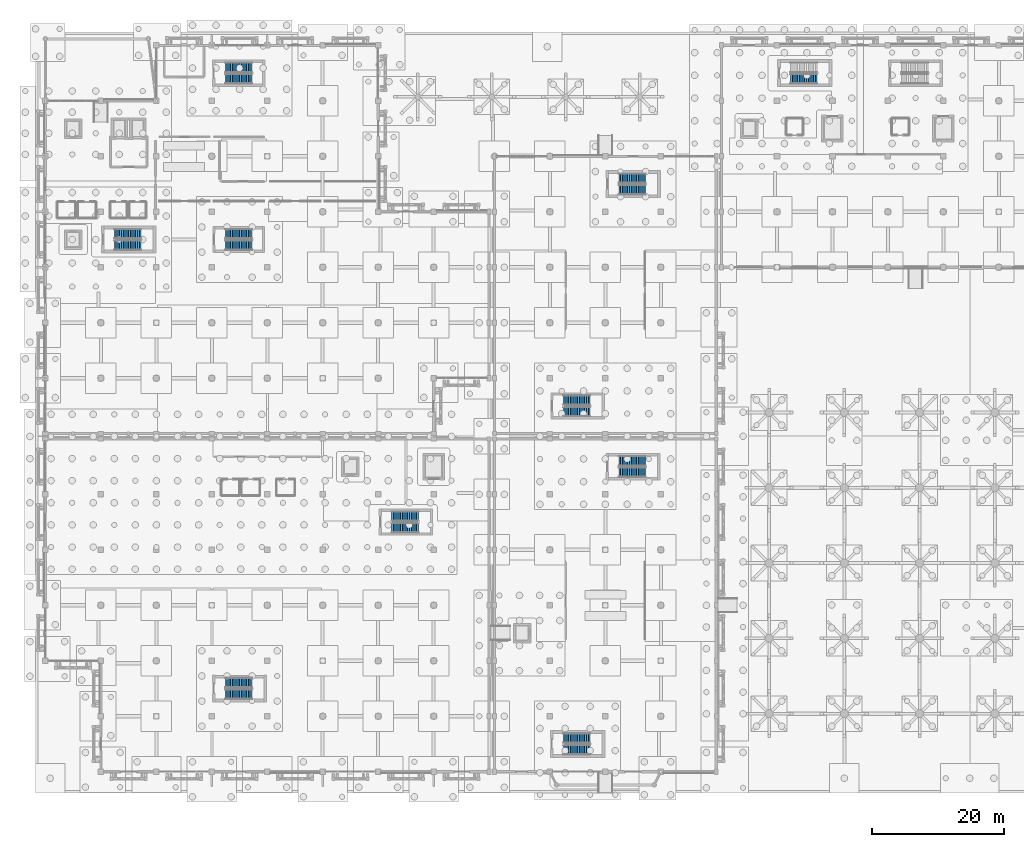
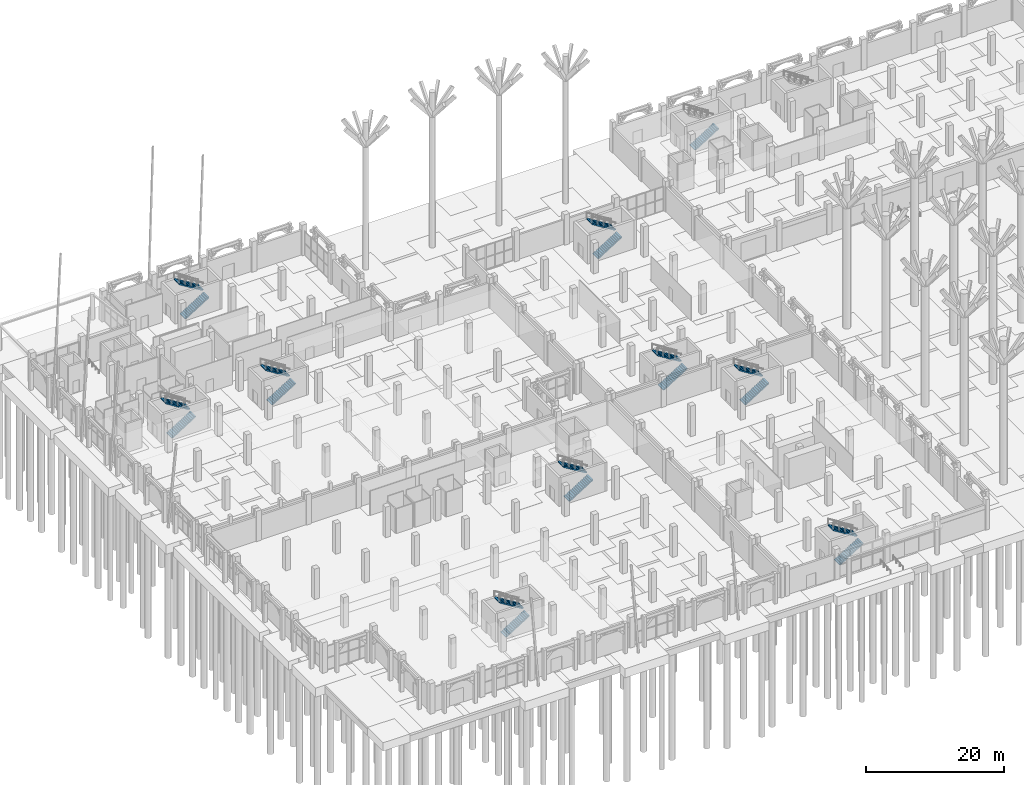
# One storey, part 74 of 98: 19 stair flights, 10 elements without a shape of their own.
"""IFC4 building model written with IfcOpenShell, lengths in metres."""

from ifc_helpers import new_model, si_unit, direction, frame, origin, place, context, subcontext, project, spatial, polyline, outline, extrude, material, type_object, element, aggregate, save


model = new_model("IFC4")

# Units and contexts
model_context = context("Model", 3, precision=1e-05, world=origin(), true_north=direction((0.0, 1.0)))
body_context = subcontext(model_context, "Body", "Model", "MODEL_VIEW")
ifc_project = project(units=[si_unit("LENGTHUNIT", "METRE"), si_unit("AREAUNIT", "SQUARE_METRE"), si_unit("VOLUMEUNIT", "CUBIC_METRE"), si_unit("PLANEANGLEUNIT", "RADIAN"), si_unit("MASSUNIT", "GRAM", prefix="KILO")], contexts=[model_context])

# Site, building, storey
site_placement = place(None, origin())
site = spatial("IfcSite", under=ifc_project, at=site_placement, CompositionType="ELEMENT")
building_placement = place(site_placement, origin())
building = spatial("IfcBuilding", under=site, at=building_placement, Name="Xazarin Passage Department Store", CompositionType="ELEMENT")
storey_placement = place(building_placement, origin())
storey = spatial("IfcBuildingStorey", under=building, at=storey_placement, Name="L00", CompositionType="ELEMENT", Elevation=0.0)

# Stair, stair flights
ifc_material = material(Name="Concrete C35/45", Category="concrete")
stair_type = type_object("IfcStairType", Name="ARC-ST-L00", PredefinedType="HALF_TURN_STAIR", material=ifc_material)
stair_1_placement = place(storey_placement, origin())
stair_1 = element("IfcStair", 1, at=stair_1_placement, inside=storey, type_object=stair_type, Name="L00 Exit Stair ST1", PredefinedType="HALF_TURN_STAIR")
stair_flight_type = type_object("IfcStairFlightType", Name="ARC-SFL-L00", PredefinedType="STRAIGHT", material=ifc_material)
stair_flight_1_placement = place(storey_placement, frame((10.43994140625, 79.739990234375, 0.0), z_axis=(0.0, 0.0, 1.0), x_axis=(1.0, 0.0, 0.0)))
stair_flight_1 = element("IfcStairFlight", 2, at=stair_flight_1_placement, type_object=stair_flight_type, Name="ST1 flight 1", NumberOfRisers=16, NumberOfTreads=15, PredefinedType="STRAIGHT", RiserHeight=0.16875, TreadLength=0.27, context=body_context, shape_type="SweptSolid", body=[
    extrude(outline(polyline([(0.0, 0.0), (0.0, 0.168701171875), (0.27001953125, 0.168701171875), (0.27001953125, 0.33740234375), (0.5400390625, 0.33740234375), (0.5400390625, 0.50634765625), (0.81005859375, 0.50634765625), (0.81005859375, 0.675048828125), (1.080078125, 0.675048828125), (1.080078125, 0.84375), (1.35009765625, 0.84375), (1.35009765625, 1.012451171875), (1.6201171875, 1.012451171875), (1.6201171875, 1.18115234375), (1.889892578125, 1.18115234375), (1.889892578125, 1.35009765625), (2.159912109375, 1.35009765625), (2.159912109375, 1.518798828125), (2.429931640625, 1.518798828125), (2.429931640625, 1.6875), (2.699951171875, 1.6875), (2.699951171875, 1.856201171875), (2.969970703125, 1.856201171875), (2.969970703125, 2.02490234375), (3.239990234375, 2.02490234375), (3.239990234375, 2.19384765625), (3.510009765625, 2.19384765625), (3.510009765625, 2.362548828125), (3.780029296875, 2.362548828125), (3.780029296875, 2.53125), (4.050048828125, 2.53125), (4.050048828125, 2.699951171875), (4.050048828125, 2.3427734375), (0.3017578125, 0.0), (0.0, 0.0)])), frame((0.0, 0.760009765625, 0.0), z_axis=(0.0, -1.0, 0.0), x_axis=(1.0, 0.0, 0.0)), (0.0, 0.0, 1.0), 1.52001953125),
])
stair_flight_2_placement = place(storey_placement, frame((14.489990234375, 81.4599609375, 2.699951171875), z_axis=(0.0, 0.0, 1.0), x_axis=(-1.0, 0.0, 0.0)))
stair_flight_2 = element("IfcStairFlight", 3, at=stair_flight_2_placement, type_object=stair_flight_type, Name="ST1 flight 2", NumberOfRisers=16, NumberOfTreads=15, PredefinedType="STRAIGHT", RiserHeight=0.16875, TreadLength=0.27, context=body_context, shape_type="SweptSolid", body=[
    extrude(outline(polyline([(0.0, 0.0), (0.0, 0.168701171875), (0.27001953125, 0.168701171875), (0.27001953125, 0.33740234375), (0.5400390625, 0.33740234375), (0.5400390625, 0.50634765625), (0.81005859375, 0.50634765625), (0.81005859375, 0.675048828125), (1.080078125, 0.675048828125), (1.080078125, 0.84375), (1.35009765625, 0.84375), (1.35009765625, 1.012451171875), (1.6201171875, 1.012451171875), (1.6201171875, 1.18115234375), (1.889892578125, 1.18115234375), (1.889892578125, 1.35009765625), (2.159912109375, 1.35009765625), (2.159912109375, 1.518798828125), (2.429931640625, 1.518798828125), (2.429931640625, 1.6875), (2.699951171875, 1.6875), (2.699951171875, 1.856201171875), (2.969970703125, 1.856201171875), (2.969970703125, 2.02490234375), (3.239990234375, 2.02490234375), (3.239990234375, 2.19384765625), (3.510009765625, 2.19384765625), (3.510009765625, 2.362548828125), (3.780029296875, 2.362548828125), (3.780029296875, 2.53125), (4.050048828125, 2.53125), (4.050048828125, 2.699951171875), (4.050048828125, 2.3427734375), (0.3017578125, 0.0), (0.0, 0.0)])), frame((0.0, 0.760009765625, 0.0), z_axis=(0.0, -1.0, 0.0), x_axis=(1.0, 0.0, 0.0)), (0.0, 0.0, 1.0), 1.52001953125),
])
aggregate(stair_1, [stair_flight_1, stair_flight_2])

stair_2_placement = place(storey_placement, origin())
stair_2 = element("IfcStair", 4, at=stair_2_placement, inside=storey, type_object=stair_type, Name="L00 Exit Stair ST2", PredefinedType="HALF_TURN_STAIR")
stair_flight_3_placement = place(storey_placement, frame((27.239990234375, 104.93994140625, 0.0), z_axis=(0.0, 0.0, 1.0), x_axis=(1.0, 0.0, 0.0)))
stair_flight_3 = element("IfcStairFlight", 5, at=stair_flight_3_placement, type_object=stair_flight_type, Name="ST2 flight 1", NumberOfRisers=16, NumberOfTreads=15, PredefinedType="STRAIGHT", RiserHeight=0.16875, TreadLength=0.27, context=body_context, shape_type="SweptSolid", body=[
    extrude(outline(polyline([(0.0, 0.0), (0.0, 0.168701171875), (0.27001953125, 0.168701171875), (0.27001953125, 0.33740234375), (0.5400390625, 0.33740234375), (0.5400390625, 0.50634765625), (0.81005859375, 0.50634765625), (0.81005859375, 0.675048828125), (1.080078125, 0.675048828125), (1.080078125, 0.84375), (1.35009765625, 0.84375), (1.35009765625, 1.012451171875), (1.6201171875, 1.012451171875), (1.6201171875, 1.18115234375), (1.889892578125, 1.18115234375), (1.889892578125, 1.35009765625), (2.159912109375, 1.35009765625), (2.159912109375, 1.518798828125), (2.429931640625, 1.518798828125), (2.429931640625, 1.6875), (2.699951171875, 1.6875), (2.699951171875, 1.856201171875), (2.969970703125, 1.856201171875), (2.969970703125, 2.02490234375), (3.239990234375, 2.02490234375), (3.239990234375, 2.19384765625), (3.510009765625, 2.19384765625), (3.510009765625, 2.362548828125), (3.780029296875, 2.362548828125), (3.780029296875, 2.53125), (4.050048828125, 2.53125), (4.050048828125, 2.699951171875), (4.050048828125, 2.3427734375), (0.3017578125, 0.0), (0.0, 0.0)])), frame((0.0, 0.760009765625, 0.0), z_axis=(0.0, -1.0, 0.0), x_axis=(1.0, 0.0, 0.0)), (0.0, 0.0, 1.0), 1.52001953125),
])
stair_flight_4_placement = place(storey_placement, frame((31.2900390625, 106.659912109375, 2.699951171875), z_axis=(0.0, 0.0, 1.0), x_axis=(-1.0, 0.0, 0.0)))
stair_flight_4 = element("IfcStairFlight", 6, at=stair_flight_4_placement, type_object=stair_flight_type, Name="ST2 flight 2", NumberOfRisers=16, NumberOfTreads=15, PredefinedType="STRAIGHT", RiserHeight=0.16875, TreadLength=0.27, context=body_context, shape_type="SweptSolid", body=[
    extrude(outline(polyline([(0.0, 0.0), (0.0, 0.168701171875), (0.27001953125, 0.168701171875), (0.27001953125, 0.33740234375), (0.5400390625, 0.33740234375), (0.5400390625, 0.50634765625), (0.81005859375, 0.50634765625), (0.81005859375, 0.675048828125), (1.080078125, 0.675048828125), (1.080078125, 0.84375), (1.35009765625, 0.84375), (1.35009765625, 1.012451171875), (1.6201171875, 1.012451171875), (1.6201171875, 1.18115234375), (1.889892578125, 1.18115234375), (1.889892578125, 1.35009765625), (2.159912109375, 1.35009765625), (2.159912109375, 1.518798828125), (2.429931640625, 1.518798828125), (2.429931640625, 1.6875), (2.699951171875, 1.6875), (2.699951171875, 1.856201171875), (2.969970703125, 1.856201171875), (2.969970703125, 2.02490234375), (3.239990234375, 2.02490234375), (3.239990234375, 2.19384765625), (3.510009765625, 2.19384765625), (3.510009765625, 2.362548828125), (3.780029296875, 2.362548828125), (3.780029296875, 2.53125), (4.050048828125, 2.53125), (4.050048828125, 2.699951171875), (4.050048828125, 2.3427734375), (0.3017578125, 0.0), (0.0, 0.0)])), frame((0.0, 0.760009765625, 0.0), z_axis=(0.0, -1.0, 0.0), x_axis=(1.0, 0.0, 0.0)), (0.0, 0.0, 1.0), 1.52001953125),
])
aggregate(stair_2, [stair_flight_3, stair_flight_4])

stair_3_placement = place(storey_placement, origin())
stair_3 = element("IfcStair", 7, at=stair_3_placement, inside=storey, type_object=stair_type, Name="L00 Exit Stair ST3", PredefinedType="HALF_TURN_STAIR")
stair_flight_5_placement = place(storey_placement, frame((27.239990234375, 79.739990234375, 0.0), z_axis=(0.0, 0.0, 1.0), x_axis=(1.0, 0.0, 0.0)))
stair_flight_5 = element("IfcStairFlight", 8, at=stair_flight_5_placement, type_object=stair_flight_type, Name="ST3 flight 1", NumberOfRisers=16, NumberOfTreads=15, PredefinedType="STRAIGHT", RiserHeight=0.16875, TreadLength=0.27, context=body_context, shape_type="SweptSolid", body=[
    extrude(outline(polyline([(0.0, 0.0), (0.0, 0.168701171875), (0.27001953125, 0.168701171875), (0.27001953125, 0.33740234375), (0.5400390625, 0.33740234375), (0.5400390625, 0.50634765625), (0.81005859375, 0.50634765625), (0.81005859375, 0.675048828125), (1.080078125, 0.675048828125), (1.080078125, 0.84375), (1.35009765625, 0.84375), (1.35009765625, 1.012451171875), (1.6201171875, 1.012451171875), (1.6201171875, 1.18115234375), (1.889892578125, 1.18115234375), (1.889892578125, 1.35009765625), (2.159912109375, 1.35009765625), (2.159912109375, 1.518798828125), (2.429931640625, 1.518798828125), (2.429931640625, 1.6875), (2.699951171875, 1.6875), (2.699951171875, 1.856201171875), (2.969970703125, 1.856201171875), (2.969970703125, 2.02490234375), (3.239990234375, 2.02490234375), (3.239990234375, 2.19384765625), (3.510009765625, 2.19384765625), (3.510009765625, 2.362548828125), (3.780029296875, 2.362548828125), (3.780029296875, 2.53125), (4.050048828125, 2.53125), (4.050048828125, 2.699951171875), (4.050048828125, 2.3427734375), (0.3017578125, 0.0), (0.0, 0.0)])), frame((0.0, 0.760009765625, 0.0), z_axis=(0.0, -1.0, 0.0), x_axis=(1.0, 0.0, 0.0)), (0.0, 0.0, 1.0), 1.52001953125),
])
stair_flight_6_placement = place(storey_placement, frame((31.2900390625, 81.4599609375, 2.699951171875), z_axis=(0.0, 0.0, 1.0), x_axis=(-1.0, 0.0, 0.0)))
stair_flight_6 = element("IfcStairFlight", 9, at=stair_flight_6_placement, type_object=stair_flight_type, Name="ST3 flight 2", NumberOfRisers=16, NumberOfTreads=15, PredefinedType="STRAIGHT", RiserHeight=0.16875, TreadLength=0.27, context=body_context, shape_type="SweptSolid", body=[
    extrude(outline(polyline([(0.0, 0.0), (0.0, 0.168701171875), (0.27001953125, 0.168701171875), (0.27001953125, 0.33740234375), (0.5400390625, 0.33740234375), (0.5400390625, 0.50634765625), (0.81005859375, 0.50634765625), (0.81005859375, 0.675048828125), (1.080078125, 0.675048828125), (1.080078125, 0.84375), (1.35009765625, 0.84375), (1.35009765625, 1.012451171875), (1.6201171875, 1.012451171875), (1.6201171875, 1.18115234375), (1.889892578125, 1.18115234375), (1.889892578125, 1.35009765625), (2.159912109375, 1.35009765625), (2.159912109375, 1.518798828125), (2.429931640625, 1.518798828125), (2.429931640625, 1.6875), (2.699951171875, 1.6875), (2.699951171875, 1.856201171875), (2.969970703125, 1.856201171875), (2.969970703125, 2.02490234375), (3.239990234375, 2.02490234375), (3.239990234375, 2.19384765625), (3.510009765625, 2.19384765625), (3.510009765625, 2.362548828125), (3.780029296875, 2.362548828125), (3.780029296875, 2.53125), (4.050048828125, 2.53125), (4.050048828125, 2.699951171875), (4.050048828125, 2.3427734375), (0.3017578125, 0.0), (0.0, 0.0)])), frame((0.0, 0.760009765625, 0.0), z_axis=(0.0, -1.0, 0.0), x_axis=(1.0, 0.0, 0.0)), (0.0, 0.0, 1.0), 1.52001953125),
])
aggregate(stair_3, [stair_flight_5, stair_flight_6])

stair_4_placement = place(storey_placement, origin())
stair_4 = element("IfcStair", 10, at=stair_4_placement, inside=storey, type_object=stair_type, Name="L00 Exit Stair ST4", PredefinedType="HALF_TURN_STAIR")
stair_flight_7_placement = place(storey_placement, frame((78.43994140625, 3.340087890625, 0.0), z_axis=(0.0, 0.0, 1.0), x_axis=(1.0, 0.0, 0.0)))
stair_flight_7 = element("IfcStairFlight", 11, at=stair_flight_7_placement, type_object=stair_flight_type, Name="ST4 flight 1", NumberOfRisers=16, NumberOfTreads=15, PredefinedType="STRAIGHT", RiserHeight=0.16875, TreadLength=0.27, context=body_context, shape_type="SweptSolid", body=[
    extrude(outline(polyline([(0.0, 0.0), (0.0, 0.168701171875), (0.27001953125, 0.168701171875), (0.27001953125, 0.33740234375), (0.5400390625, 0.33740234375), (0.5400390625, 0.50634765625), (0.81005859375, 0.50634765625), (0.81005859375, 0.675048828125), (1.080078125, 0.675048828125), (1.080078125, 0.84375), (1.35009765625, 0.84375), (1.35009765625, 1.012451171875), (1.6201171875, 1.012451171875), (1.6201171875, 1.18115234375), (1.889892578125, 1.18115234375), (1.889892578125, 1.35009765625), (2.159912109375, 1.35009765625), (2.159912109375, 1.518798828125), (2.429931640625, 1.518798828125), (2.429931640625, 1.6875), (2.699951171875, 1.6875), (2.699951171875, 1.856201171875), (2.969970703125, 1.856201171875), (2.969970703125, 2.02490234375), (3.239990234375, 2.02490234375), (3.239990234375, 2.19384765625), (3.510009765625, 2.19384765625), (3.510009765625, 2.362548828125), (3.780029296875, 2.362548828125), (3.780029296875, 2.53125), (4.050048828125, 2.53125), (4.050048828125, 2.699951171875), (4.050048828125, 2.3427734375), (0.3017578125, 0.0), (0.0, 0.0)])), frame((0.0, 0.760009765625, 0.0), z_axis=(0.0, -1.0, 0.0), x_axis=(1.0, 0.0, 0.0)), (0.0, 0.0, 1.0), 1.52001953125),
])
stair_flight_8_placement = place(storey_placement, frame((82.489990234375, 5.06005859375, 2.699951171875), z_axis=(0.0, 0.0, 1.0), x_axis=(-1.0, 0.0, 0.0)))
stair_flight_8 = element("IfcStairFlight", 12, at=stair_flight_8_placement, type_object=stair_flight_type, Name="ST4 flight 2", NumberOfRisers=16, NumberOfTreads=15, PredefinedType="STRAIGHT", RiserHeight=0.16875, TreadLength=0.27, context=body_context, shape_type="SweptSolid", body=[
    extrude(outline(polyline([(0.0, 0.0), (0.0, 0.168701171875), (0.27001953125, 0.168701171875), (0.27001953125, 0.33740234375), (0.5400390625, 0.33740234375), (0.5400390625, 0.50634765625), (0.81005859375, 0.50634765625), (0.81005859375, 0.675048828125), (1.080078125, 0.675048828125), (1.080078125, 0.84375), (1.35009765625, 0.84375), (1.35009765625, 1.012451171875), (1.6201171875, 1.012451171875), (1.6201171875, 1.18115234375), (1.889892578125, 1.18115234375), (1.889892578125, 1.35009765625), (2.159912109375, 1.35009765625), (2.159912109375, 1.518798828125), (2.429931640625, 1.518798828125), (2.429931640625, 1.6875), (2.699951171875, 1.6875), (2.699951171875, 1.856201171875), (2.969970703125, 1.856201171875), (2.969970703125, 2.02490234375), (3.239990234375, 2.02490234375), (3.239990234375, 2.19384765625), (3.510009765625, 2.19384765625), (3.510009765625, 2.362548828125), (3.780029296875, 2.362548828125), (3.780029296875, 2.53125), (4.050048828125, 2.53125), (4.050048828125, 2.699951171875), (4.050048828125, 2.3427734375), (0.3017578125, 0.0), (0.0, 0.0)])), frame((0.0, 0.760009765625, 0.0), z_axis=(0.0, -1.0, 0.0), x_axis=(1.0, 0.0, 0.0)), (0.0, 0.0, 1.0), 1.52001953125),
])
aggregate(stair_4, [stair_flight_7, stair_flight_8])

stair_5_placement = place(storey_placement, origin())
stair_5 = element("IfcStair", 13, at=stair_5_placement, inside=storey, type_object=stair_type, Name="L00 Exit Stair ST5", PredefinedType="HALF_TURN_STAIR")
stair_flight_9_placement = place(storey_placement, frame((86.840087890625, 45.340087890625, 0.0), z_axis=(0.0, 0.0, 1.0), x_axis=(1.0, 0.0, 0.0)))
stair_flight_9 = element("IfcStairFlight", 14, at=stair_flight_9_placement, type_object=stair_flight_type, Name="ST5 flight 1", NumberOfRisers=16, NumberOfTreads=15, PredefinedType="STRAIGHT", RiserHeight=0.16875, TreadLength=0.27, context=body_context, shape_type="SweptSolid", body=[
    extrude(outline(polyline([(0.0, 0.0), (0.0, 0.168701171875), (0.27001953125, 0.168701171875), (0.27001953125, 0.33740234375), (0.5400390625, 0.33740234375), (0.5400390625, 0.50634765625), (0.81005859375, 0.50634765625), (0.81005859375, 0.675048828125), (1.080078125, 0.675048828125), (1.080078125, 0.84375), (1.35009765625, 0.84375), (1.35009765625, 1.012451171875), (1.6201171875, 1.012451171875), (1.6201171875, 1.18115234375), (1.889892578125, 1.18115234375), (1.889892578125, 1.35009765625), (2.159912109375, 1.35009765625), (2.159912109375, 1.518798828125), (2.429931640625, 1.518798828125), (2.429931640625, 1.6875), (2.699951171875, 1.6875), (2.699951171875, 1.856201171875), (2.969970703125, 1.856201171875), (2.969970703125, 2.02490234375), (3.239990234375, 2.02490234375), (3.239990234375, 2.19384765625), (3.510009765625, 2.19384765625), (3.510009765625, 2.362548828125), (3.780029296875, 2.362548828125), (3.780029296875, 2.53125), (4.050048828125, 2.53125), (4.050048828125, 2.699951171875), (4.050048828125, 2.3427734375), (0.3017578125, 0.0), (0.0, 0.0)])), frame((0.0, 0.760009765625, 0.0), z_axis=(0.0, -1.0, 0.0), x_axis=(1.0, 0.0, 0.0)), (0.0, 0.0, 1.0), 1.52001953125),
])
stair_flight_10_placement = place(storey_placement, frame((90.889892578125, 47.06005859375, 2.699951171875), z_axis=(0.0, 0.0, 1.0), x_axis=(-1.0, 0.0, 0.0)))
stair_flight_10 = element("IfcStairFlight", 15, at=stair_flight_10_placement, type_object=stair_flight_type, Name="ST5 flight 2", NumberOfRisers=16, NumberOfTreads=15, PredefinedType="STRAIGHT", RiserHeight=0.16875, TreadLength=0.27, context=body_context, shape_type="SweptSolid", body=[
    extrude(outline(polyline([(0.0, 0.0), (0.0, 0.168701171875), (0.27001953125, 0.168701171875), (0.27001953125, 0.33740234375), (0.5400390625, 0.33740234375), (0.5400390625, 0.50634765625), (0.81005859375, 0.50634765625), (0.81005859375, 0.675048828125), (1.080078125, 0.675048828125), (1.080078125, 0.84375), (1.35009765625, 0.84375), (1.35009765625, 1.012451171875), (1.6201171875, 1.012451171875), (1.6201171875, 1.18115234375), (1.889892578125, 1.18115234375), (1.889892578125, 1.35009765625), (2.159912109375, 1.35009765625), (2.159912109375, 1.518798828125), (2.429931640625, 1.518798828125), (2.429931640625, 1.6875), (2.699951171875, 1.6875), (2.699951171875, 1.856201171875), (2.969970703125, 1.856201171875), (2.969970703125, 2.02490234375), (3.239990234375, 2.02490234375), (3.239990234375, 2.19384765625), (3.510009765625, 2.19384765625), (3.510009765625, 2.362548828125), (3.780029296875, 2.362548828125), (3.780029296875, 2.53125), (4.050048828125, 2.53125), (4.050048828125, 2.699951171875), (4.050048828125, 2.3427734375), (0.3017578125, 0.0), (0.0, 0.0)])), frame((0.0, 0.760009765625, 0.0), z_axis=(0.0, -1.0, 0.0), x_axis=(1.0, 0.0, 0.0)), (0.0, 0.0, 1.0), 1.52001953125),
])
aggregate(stair_5, [stair_flight_9, stair_flight_10])

stair_6_placement = place(storey_placement, origin())
stair_6 = element("IfcStair", 16, at=stair_6_placement, inside=storey, type_object=stair_type, Name="L00 Exit Stair ST6", PredefinedType="HALF_TURN_STAIR")
stair_flight_11_placement = place(storey_placement, frame((78.43994140625, 54.5400390625, 0.0), z_axis=(0.0, 0.0, 1.0), x_axis=(1.0, 0.0, 0.0)))
stair_flight_11 = element("IfcStairFlight", 17, at=stair_flight_11_placement, type_object=stair_flight_type, Name="ST6 flight 1", NumberOfRisers=16, NumberOfTreads=15, PredefinedType="STRAIGHT", RiserHeight=0.16875, TreadLength=0.27, context=body_context, shape_type="SweptSolid", body=[
    extrude(outline(polyline([(0.0, 0.0), (0.0, 0.168701171875), (0.27001953125, 0.168701171875), (0.27001953125, 0.33740234375), (0.5400390625, 0.33740234375), (0.5400390625, 0.50634765625), (0.81005859375, 0.50634765625), (0.81005859375, 0.675048828125), (1.080078125, 0.675048828125), (1.080078125, 0.84375), (1.35009765625, 0.84375), (1.35009765625, 1.012451171875), (1.6201171875, 1.012451171875), (1.6201171875, 1.18115234375), (1.889892578125, 1.18115234375), (1.889892578125, 1.35009765625), (2.159912109375, 1.35009765625), (2.159912109375, 1.518798828125), (2.429931640625, 1.518798828125), (2.429931640625, 1.6875), (2.699951171875, 1.6875), (2.699951171875, 1.856201171875), (2.969970703125, 1.856201171875), (2.969970703125, 2.02490234375), (3.239990234375, 2.02490234375), (3.239990234375, 2.19384765625), (3.510009765625, 2.19384765625), (3.510009765625, 2.362548828125), (3.780029296875, 2.362548828125), (3.780029296875, 2.53125), (4.050048828125, 2.53125), (4.050048828125, 2.699951171875), (4.050048828125, 2.3427734375), (0.3017578125, 0.0), (0.0, 0.0)])), frame((0.0, 0.760009765625, 0.0), z_axis=(0.0, -1.0, 0.0), x_axis=(1.0, 0.0, 0.0)), (0.0, 0.0, 1.0), 1.52001953125),
])
stair_flight_12_placement = place(storey_placement, frame((82.489990234375, 56.260009765625, 2.699951171875), z_axis=(0.0, 0.0, 1.0), x_axis=(-1.0, 0.0, 0.0)))
stair_flight_12 = element("IfcStairFlight", 18, at=stair_flight_12_placement, type_object=stair_flight_type, Name="ST6 flight 2", NumberOfRisers=16, NumberOfTreads=15, PredefinedType="STRAIGHT", RiserHeight=0.16875, TreadLength=0.27, context=body_context, shape_type="SweptSolid", body=[
    extrude(outline(polyline([(0.0, 0.0), (0.0, 0.168701171875), (0.27001953125, 0.168701171875), (0.27001953125, 0.33740234375), (0.5400390625, 0.33740234375), (0.5400390625, 0.50634765625), (0.81005859375, 0.50634765625), (0.81005859375, 0.675048828125), (1.080078125, 0.675048828125), (1.080078125, 0.84375), (1.35009765625, 0.84375), (1.35009765625, 1.012451171875), (1.6201171875, 1.012451171875), (1.6201171875, 1.18115234375), (1.889892578125, 1.18115234375), (1.889892578125, 1.35009765625), (2.159912109375, 1.35009765625), (2.159912109375, 1.518798828125), (2.429931640625, 1.518798828125), (2.429931640625, 1.6875), (2.699951171875, 1.6875), (2.699951171875, 1.856201171875), (2.969970703125, 1.856201171875), (2.969970703125, 2.02490234375), (3.239990234375, 2.02490234375), (3.239990234375, 2.19384765625), (3.510009765625, 2.19384765625), (3.510009765625, 2.362548828125), (3.780029296875, 2.362548828125), (3.780029296875, 2.53125), (4.050048828125, 2.53125), (4.050048828125, 2.699951171875), (4.050048828125, 2.3427734375), (0.3017578125, 0.0), (0.0, 0.0)])), frame((0.0, 0.760009765625, 0.0), z_axis=(0.0, -1.0, 0.0), x_axis=(1.0, 0.0, 0.0)), (0.0, 0.0, 1.0), 1.52001953125),
])
aggregate(stair_6, [stair_flight_11, stair_flight_12])

stair_7_placement = place(storey_placement, origin())
stair_7 = element("IfcStair", 19, at=stair_7_placement, inside=storey, type_object=stair_type, Name="L00 Exit Stair ST7", PredefinedType="HALF_TURN_STAIR")
stair_flight_13_placement = place(storey_placement, frame((86.840087890625, 88.139892578125, 0.0), z_axis=(0.0, 0.0, 1.0), x_axis=(1.0, 0.0, 0.0)))
stair_flight_13 = element("IfcStairFlight", 20, at=stair_flight_13_placement, type_object=stair_flight_type, Name="ST7 flight 1", NumberOfRisers=16, NumberOfTreads=15, PredefinedType="STRAIGHT", RiserHeight=0.16875, TreadLength=0.27, context=body_context, shape_type="SweptSolid", body=[
    extrude(outline(polyline([(0.0, 0.0), (0.0, 0.168701171875), (0.27001953125, 0.168701171875), (0.27001953125, 0.33740234375), (0.5400390625, 0.33740234375), (0.5400390625, 0.50634765625), (0.81005859375, 0.50634765625), (0.81005859375, 0.675048828125), (1.080078125, 0.675048828125), (1.080078125, 0.84375), (1.35009765625, 0.84375), (1.35009765625, 1.012451171875), (1.6201171875, 1.012451171875), (1.6201171875, 1.18115234375), (1.889892578125, 1.18115234375), (1.889892578125, 1.35009765625), (2.159912109375, 1.35009765625), (2.159912109375, 1.518798828125), (2.429931640625, 1.518798828125), (2.429931640625, 1.6875), (2.699951171875, 1.6875), (2.699951171875, 1.856201171875), (2.969970703125, 1.856201171875), (2.969970703125, 2.02490234375), (3.239990234375, 2.02490234375), (3.239990234375, 2.19384765625), (3.510009765625, 2.19384765625), (3.510009765625, 2.362548828125), (3.780029296875, 2.362548828125), (3.780029296875, 2.53125), (4.050048828125, 2.53125), (4.050048828125, 2.699951171875), (4.050048828125, 2.3427734375), (0.3017578125, 0.0), (0.0, 0.0)])), frame((0.0, 0.760009765625, 0.0), z_axis=(0.0, -1.0, 0.0), x_axis=(1.0, 0.0, 0.0)), (0.0, 0.0, 1.0), 1.52001953125),
])
stair_flight_14_placement = place(storey_placement, frame((90.889892578125, 89.860107421875, 2.699951171875), z_axis=(0.0, 0.0, 1.0), x_axis=(-1.0, 0.0, 0.0)))
stair_flight_14 = element("IfcStairFlight", 21, at=stair_flight_14_placement, type_object=stair_flight_type, Name="ST7 flight 2", NumberOfRisers=16, NumberOfTreads=15, PredefinedType="STRAIGHT", RiserHeight=0.16875, TreadLength=0.27, context=body_context, shape_type="SweptSolid", body=[
    extrude(outline(polyline([(0.0, 0.0), (0.0, 0.168701171875), (0.27001953125, 0.168701171875), (0.27001953125, 0.33740234375), (0.5400390625, 0.33740234375), (0.5400390625, 0.50634765625), (0.81005859375, 0.50634765625), (0.81005859375, 0.675048828125), (1.080078125, 0.675048828125), (1.080078125, 0.84375), (1.35009765625, 0.84375), (1.35009765625, 1.012451171875), (1.6201171875, 1.012451171875), (1.6201171875, 1.18115234375), (1.889892578125, 1.18115234375), (1.889892578125, 1.35009765625), (2.159912109375, 1.35009765625), (2.159912109375, 1.518798828125), (2.429931640625, 1.518798828125), (2.429931640625, 1.6875), (2.699951171875, 1.6875), (2.699951171875, 1.856201171875), (2.969970703125, 1.856201171875), (2.969970703125, 2.02490234375), (3.239990234375, 2.02490234375), (3.239990234375, 2.19384765625), (3.510009765625, 2.19384765625), (3.510009765625, 2.362548828125), (3.780029296875, 2.362548828125), (3.780029296875, 2.53125), (4.050048828125, 2.53125), (4.050048828125, 2.699951171875), (4.050048828125, 2.3427734375), (0.3017578125, 0.0), (0.0, 0.0)])), frame((0.0, 0.760009765625, 0.0), z_axis=(0.0, -1.0, 0.0), x_axis=(1.0, 0.0, 0.0)), (0.0, 0.0, 1.0), 1.52001953125),
])
aggregate(stair_7, [stair_flight_13, stair_flight_14])

stair_8_placement = place(storey_placement, origin())
stair_8 = element("IfcStair", 22, at=stair_8_placement, inside=storey, type_object=stair_type, Name="L00 Exit Stair ST8", PredefinedType="HALF_TURN_STAIR")
stair_flight_15_placement = place(storey_placement, frame((27.239990234375, 11.739990234375, 0.0), z_axis=(0.0, 0.0, 1.0), x_axis=(1.0, 0.0, 0.0)))
stair_flight_15 = element("IfcStairFlight", 23, at=stair_flight_15_placement, type_object=stair_flight_type, Name="ST8 flight 1", NumberOfRisers=16, NumberOfTreads=15, PredefinedType="STRAIGHT", RiserHeight=0.16875, TreadLength=0.27, context=body_context, shape_type="SweptSolid", body=[
    extrude(outline(polyline([(0.0, 0.0), (0.0, 0.168701171875), (0.27001953125, 0.168701171875), (0.27001953125, 0.33740234375), (0.5400390625, 0.33740234375), (0.5400390625, 0.50634765625), (0.81005859375, 0.50634765625), (0.81005859375, 0.675048828125), (1.080078125, 0.675048828125), (1.080078125, 0.84375), (1.35009765625, 0.84375), (1.35009765625, 1.012451171875), (1.6201171875, 1.012451171875), (1.6201171875, 1.18115234375), (1.889892578125, 1.18115234375), (1.889892578125, 1.35009765625), (2.159912109375, 1.35009765625), (2.159912109375, 1.518798828125), (2.429931640625, 1.518798828125), (2.429931640625, 1.6875), (2.699951171875, 1.6875), (2.699951171875, 1.856201171875), (2.969970703125, 1.856201171875), (2.969970703125, 2.02490234375), (3.239990234375, 2.02490234375), (3.239990234375, 2.19384765625), (3.510009765625, 2.19384765625), (3.510009765625, 2.362548828125), (3.780029296875, 2.362548828125), (3.780029296875, 2.53125), (4.050048828125, 2.53125), (4.050048828125, 2.699951171875), (4.050048828125, 2.3427734375), (0.3017578125, 0.0), (0.0, 0.0)])), frame((0.0, 0.760009765625, 0.0), z_axis=(0.0, -1.0, 0.0), x_axis=(1.0, 0.0, 0.0)), (0.0, 0.0, 1.0), 1.52001953125),
])
stair_flight_16_placement = place(storey_placement, frame((31.2900390625, 13.4599609375, 2.699951171875), z_axis=(0.0, 0.0, 1.0), x_axis=(-1.0, 0.0, 0.0)))
stair_flight_16 = element("IfcStairFlight", 24, at=stair_flight_16_placement, type_object=stair_flight_type, Name="ST8 flight 2", NumberOfRisers=16, NumberOfTreads=15, PredefinedType="STRAIGHT", RiserHeight=0.16875, TreadLength=0.27, context=body_context, shape_type="SweptSolid", body=[
    extrude(outline(polyline([(0.0, 0.0), (0.0, 0.168701171875), (0.27001953125, 0.168701171875), (0.27001953125, 0.33740234375), (0.5400390625, 0.33740234375), (0.5400390625, 0.50634765625), (0.81005859375, 0.50634765625), (0.81005859375, 0.675048828125), (1.080078125, 0.675048828125), (1.080078125, 0.84375), (1.35009765625, 0.84375), (1.35009765625, 1.012451171875), (1.6201171875, 1.012451171875), (1.6201171875, 1.18115234375), (1.889892578125, 1.18115234375), (1.889892578125, 1.35009765625), (2.159912109375, 1.35009765625), (2.159912109375, 1.518798828125), (2.429931640625, 1.518798828125), (2.429931640625, 1.6875), (2.699951171875, 1.6875), (2.699951171875, 1.856201171875), (2.969970703125, 1.856201171875), (2.969970703125, 2.02490234375), (3.239990234375, 2.02490234375), (3.239990234375, 2.19384765625), (3.510009765625, 2.19384765625), (3.510009765625, 2.362548828125), (3.780029296875, 2.362548828125), (3.780029296875, 2.53125), (4.050048828125, 2.53125), (4.050048828125, 2.699951171875), (4.050048828125, 2.3427734375), (0.3017578125, 0.0), (0.0, 0.0)])), frame((0.0, 0.760009765625, 0.0), z_axis=(0.0, -1.0, 0.0), x_axis=(1.0, 0.0, 0.0)), (0.0, 0.0, 1.0), 1.52001953125),
])
aggregate(stair_8, [stair_flight_15, stair_flight_16])

stair_9_placement = place(storey_placement, origin())
stair_9 = element("IfcStair", 25, at=stair_9_placement, inside=storey, type_object=stair_type, Name="L00 Exit Stair ST9", PredefinedType="HALF_TURN_STAIR")
stair_flight_17_placement = place(storey_placement, frame((52.43994140625, 36.93994140625, 0.0), z_axis=(0.0, 0.0, 1.0), x_axis=(1.0, 0.0, 0.0)))
stair_flight_17 = element("IfcStairFlight", 26, at=stair_flight_17_placement, type_object=stair_flight_type, Name="ST9 flight 1", NumberOfRisers=16, NumberOfTreads=15, PredefinedType="STRAIGHT", RiserHeight=0.16875, TreadLength=0.27, context=body_context, shape_type="SweptSolid", body=[
    extrude(outline(polyline([(0.0, 0.0), (0.0, 0.168701171875), (0.27001953125, 0.168701171875), (0.27001953125, 0.33740234375), (0.5400390625, 0.33740234375), (0.5400390625, 0.50634765625), (0.81005859375, 0.50634765625), (0.81005859375, 0.675048828125), (1.080078125, 0.675048828125), (1.080078125, 0.84375), (1.35009765625, 0.84375), (1.35009765625, 1.012451171875), (1.6201171875, 1.012451171875), (1.6201171875, 1.18115234375), (1.889892578125, 1.18115234375), (1.889892578125, 1.35009765625), (2.159912109375, 1.35009765625), (2.159912109375, 1.518798828125), (2.429931640625, 1.518798828125), (2.429931640625, 1.6875), (2.699951171875, 1.6875), (2.699951171875, 1.856201171875), (2.969970703125, 1.856201171875), (2.969970703125, 2.02490234375), (3.239990234375, 2.02490234375), (3.239990234375, 2.19384765625), (3.510009765625, 2.19384765625), (3.510009765625, 2.362548828125), (3.780029296875, 2.362548828125), (3.780029296875, 2.53125), (4.050048828125, 2.53125), (4.050048828125, 2.699951171875), (4.050048828125, 2.3427734375), (0.3017578125, 0.0), (0.0, 0.0)])), frame((0.0, 0.760009765625, 0.0), z_axis=(0.0, -1.0, 0.0), x_axis=(1.0, 0.0, 0.0)), (0.0, 0.0, 1.0), 1.52001953125),
])
stair_flight_18_placement = place(storey_placement, frame((56.489990234375, 38.659912109375, 2.699951171875), z_axis=(0.0, 0.0, 1.0), x_axis=(-1.0, 0.0, 0.0)))
stair_flight_18 = element("IfcStairFlight", 27, at=stair_flight_18_placement, type_object=stair_flight_type, Name="ST9 flight 2", NumberOfRisers=16, NumberOfTreads=15, PredefinedType="STRAIGHT", RiserHeight=0.16875, TreadLength=0.27, context=body_context, shape_type="SweptSolid", body=[
    extrude(outline(polyline([(0.0, 0.0), (0.0, 0.168701171875), (0.27001953125, 0.168701171875), (0.27001953125, 0.33740234375), (0.5400390625, 0.33740234375), (0.5400390625, 0.50634765625), (0.81005859375, 0.50634765625), (0.81005859375, 0.675048828125), (1.080078125, 0.675048828125), (1.080078125, 0.84375), (1.35009765625, 0.84375), (1.35009765625, 1.012451171875), (1.6201171875, 1.012451171875), (1.6201171875, 1.18115234375), (1.889892578125, 1.18115234375), (1.889892578125, 1.35009765625), (2.159912109375, 1.35009765625), (2.159912109375, 1.518798828125), (2.429931640625, 1.518798828125), (2.429931640625, 1.6875), (2.699951171875, 1.6875), (2.699951171875, 1.856201171875), (2.969970703125, 1.856201171875), (2.969970703125, 2.02490234375), (3.239990234375, 2.02490234375), (3.239990234375, 2.19384765625), (3.510009765625, 2.19384765625), (3.510009765625, 2.362548828125), (3.780029296875, 2.362548828125), (3.780029296875, 2.53125), (4.050048828125, 2.53125), (4.050048828125, 2.699951171875), (4.050048828125, 2.3427734375), (0.3017578125, 0.0), (0.0, 0.0)])), frame((0.0, 0.760009765625, 0.0), z_axis=(0.0, -1.0, 0.0), x_axis=(1.0, 0.0, 0.0)), (0.0, 0.0, 1.0), 1.52001953125),
])
aggregate(stair_9, [stair_flight_17, stair_flight_18])

# Stair, stair flight
stair_10_placement = place(storey_placement, origin())
stair_10 = element("IfcStair", 28, at=stair_10_placement, inside=storey, type_object=stair_type, Name="L00 Exit Stair ST10", PredefinedType="HALF_TURN_STAIR")
stair_flight_19_placement = place(storey_placement, frame((112.840087890625, 104.93994140625, 0.0), z_axis=(0.0, 0.0, 1.0), x_axis=(1.0, 0.0, 0.0)))
stair_flight_19 = element("IfcStairFlight", 29, at=stair_flight_19_placement, type_object=stair_flight_type, Name="ST10 flight 1", NumberOfRisers=16, NumberOfTreads=15, PredefinedType="STRAIGHT", RiserHeight=0.16875, TreadLength=0.27, context=body_context, shape_type="SweptSolid", body=[
    extrude(outline(polyline([(0.0, 0.0), (0.0, 0.168701171875), (0.27001953125, 0.168701171875), (0.27001953125, 0.33740234375), (0.5400390625, 0.33740234375), (0.5400390625, 0.50634765625), (0.81005859375, 0.50634765625), (0.81005859375, 0.675048828125), (1.080078125, 0.675048828125), (1.080078125, 0.84375), (1.35009765625, 0.84375), (1.35009765625, 1.012451171875), (1.6201171875, 1.012451171875), (1.6201171875, 1.18115234375), (1.889892578125, 1.18115234375), (1.889892578125, 1.35009765625), (2.159912109375, 1.35009765625), (2.159912109375, 1.518798828125), (2.429931640625, 1.518798828125), (2.429931640625, 1.6875), (2.699951171875, 1.6875), (2.699951171875, 1.856201171875), (2.969970703125, 1.856201171875), (2.969970703125, 2.02490234375), (3.239990234375, 2.02490234375), (3.239990234375, 2.19384765625), (3.510009765625, 2.19384765625), (3.510009765625, 2.362548828125), (3.780029296875, 2.362548828125), (3.780029296875, 2.53125), (4.050048828125, 2.53125), (4.050048828125, 2.699951171875), (4.050048828125, 2.3427734375), (0.3017578125, 0.0), (0.0, 0.0)])), frame((0.0, 0.760009765625, 0.0), z_axis=(0.0, -1.0, 0.0), x_axis=(1.0, 0.0, 0.0)), (0.0, 0.0, 1.0), 1.52001953125),
])
aggregate(stair_10, [stair_flight_19])

save(model, "model.ifc")
